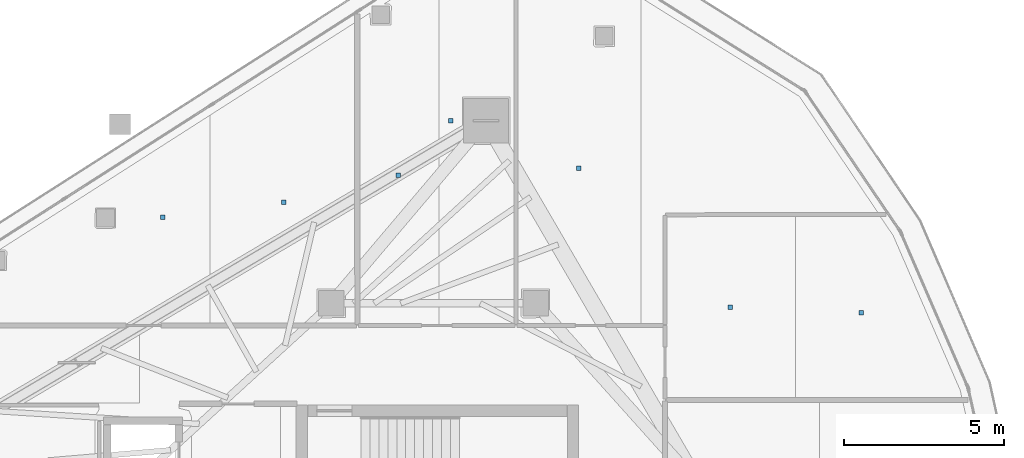
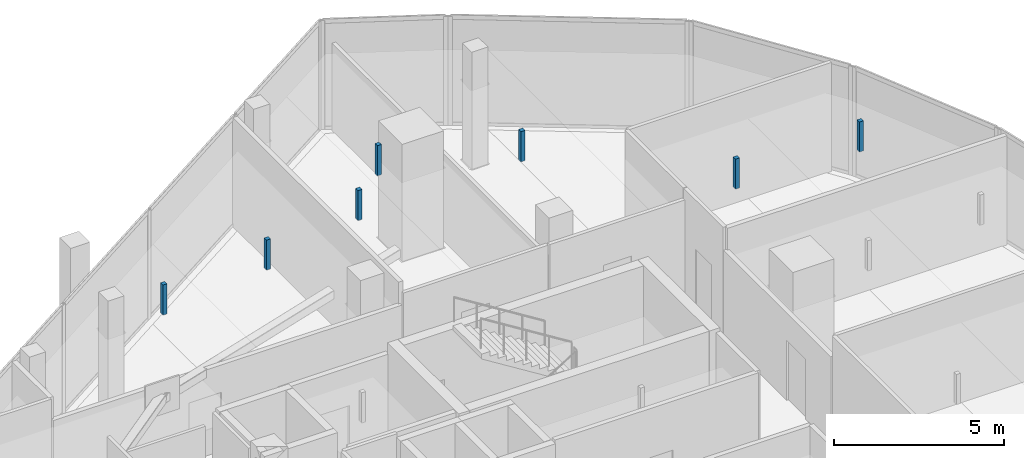
# One storey, part 25 of 30: 7 discrete accessories.
"""IFC4 building model written with IfcOpenShell, lengths in metres."""

from ifc_helpers import new_model, si_unit, direction, frame, origin, origin_2d, place, context, subcontext, project, spatial, rectangle, extrude, material, type_object, element, save


model = new_model("IFC4")

# Units and contexts
model_context = context("Model", 3, precision=1e-05, world=origin(), true_north=direction((0.0, 1.0)))
body_context = subcontext(model_context, "Body", "Model", "MODEL_VIEW")
ifc_project = project(units=[si_unit("LENGTHUNIT", "METRE"), si_unit("AREAUNIT", "SQUARE_METRE"), si_unit("VOLUMEUNIT", "CUBIC_METRE"), si_unit("PLANEANGLEUNIT", "RADIAN"), si_unit("MASSUNIT", "GRAM", prefix="KILO")], contexts=[model_context])

# Site, building, storey
site_placement = place(None, origin())
site = spatial("IfcSite", under=ifc_project, at=site_placement, CompositionType="ELEMENT")
building_placement = place(site_placement, origin())
building = spatial("IfcBuilding", under=site, at=building_placement, Name="Qorvath Tower", CompositionType="ELEMENT")
storey_placement = place(building_placement, frame((0.0, 0.0, 289.199951171875)))
storey = spatial("IfcBuildingStorey", under=building, at=storey_placement, Name="L67", CompositionType="ELEMENT", Elevation=289.199951171875)

# Discrete accessories
ifc_material = material(Name="Galvanised steel bracket", Category="steel")
discrete_accessory_type = type_object("IfcDiscreteAccessoryType", Name="DA-BRACKET", PredefinedType="BRACKET", material=ifc_material)
for number, where, z_axis, x_axis, name in (
    (1, (-28.882080078125, 14.1455078125, 2.860107421875), (0.0, 0.0, 1.0), (1.0, 0.0, 0.0), "Acoustic Ceiling Suspension Hanger T1-L67-013"),
    (2, (-25.098388671875, 14.61865234375, 2.860107421875), (0.0, 0.0, 1.0), (1.0, 0.0, 0.0), "Acoustic Ceiling Suspension Hanger T1-L67-014"),
    (3, (-21.502685546875, 15.47021484375, 2.860107421875), (0.0, 0.0, 1.0), (1.0, 0.0, 0.0), "Acoustic Ceiling Suspension Hanger T1-L67-015"),
    (4, (-19.86181640625, 17.175537109375, 2.860107421875), (0.0, 0.0, 1.0), (1.0, 0.0, 0.0), "Acoustic Ceiling Suspension Hanger T1-L67-016"),
    (5, (-15.850830078125, 15.687744140625, 2.860107421875), (0.0, 0.0, 1.0), (1.0, 0.0, 0.0), "Acoustic Ceiling Suspension Hanger T1-L67-017"),
    (6, (-11.09228515625, 11.321533203125, 2.860107421875), (0.0, 0.0, 1.0), (1.0, 0.0, 0.0), "Acoustic Ceiling Suspension Hanger T1-L67-032"),
    (7, (-6.994140625, 11.149658203125, 2.860107421875), (0.0, 0.0, 1.0), (1.0, 0.0, 0.0), "Acoustic Ceiling Suspension Hanger T1-L67-033"),
):
    element("IfcDiscreteAccessory", number, at=place(storey_placement, frame(where, z_axis=z_axis, x_axis=x_axis)), inside=storey, type_object=discrete_accessory_type, Name=name, PredefinedType="NOTDEFINED", context=body_context, shape_type="SweptSolid", body=[
        extrude(rectangle(XDim=0.139892578125, YDim=0.139892578125, at=origin_2d()), origin(), (0.0, 0.0, 1.0), 1.080078125),
    ])

save(model, "model.ifc")
